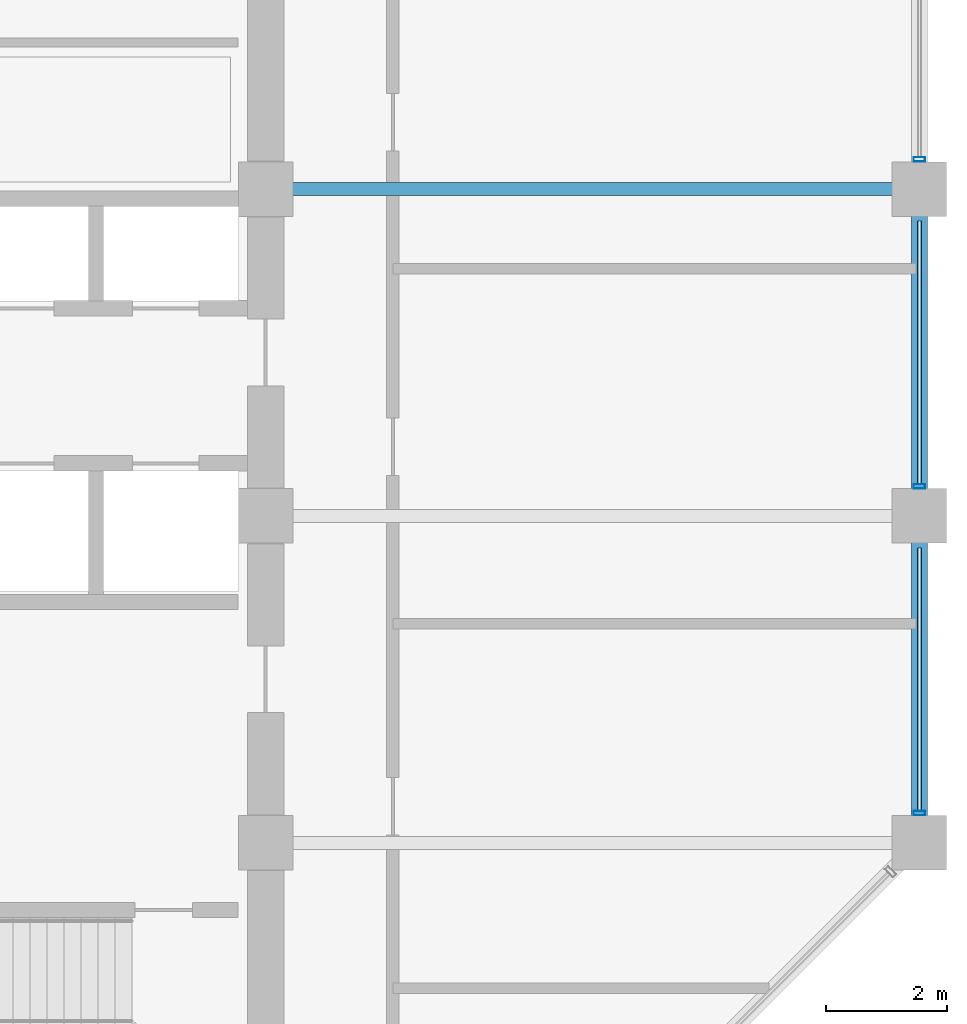
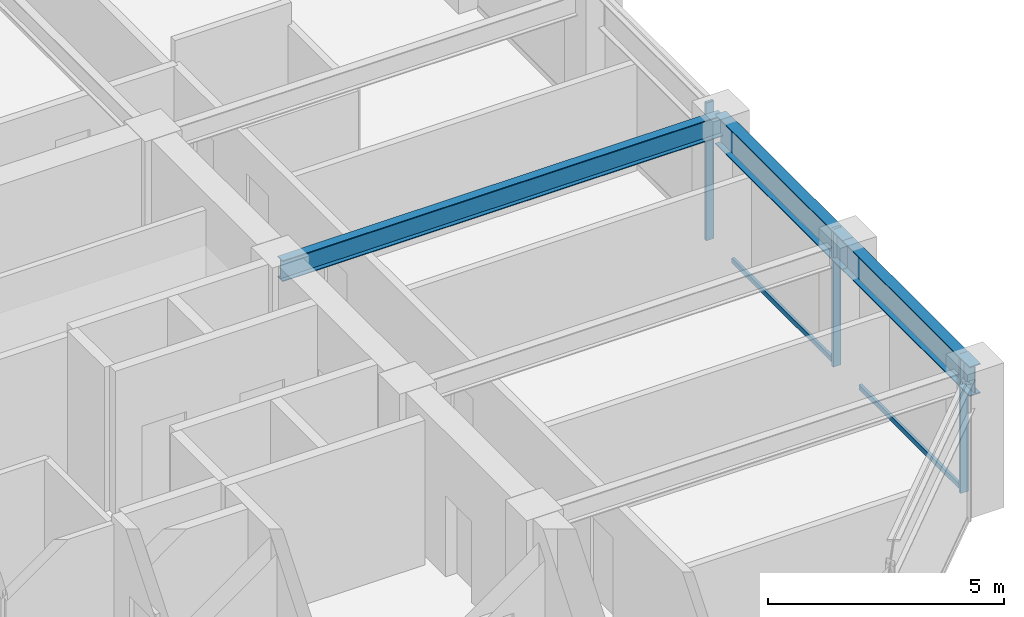
# One storey, part 14 of 32: 5 members, 3 beams, 1 element without a shape of its own.
"""IFC4 building model written with IfcOpenShell, lengths in metres."""

from ifc_helpers import new_model, si_unit, direction, frame, origin, origin_2d, place, context, subcontext, project, spatial, hollow_rectangle, i_section, extrude, material, layer, layer_set, material_profile, profile_set, type_object, element, aggregate, save


model = new_model("IFC4")

# Units and contexts
model_context = context("Model", 3, precision=1e-05, world=origin(), true_north=direction((0.0, 1.0)))
body_context = subcontext(model_context, "Body", "Model", "MODEL_VIEW")
ifc_project = project(units=[si_unit("LENGTHUNIT", "METRE"), si_unit("AREAUNIT", "SQUARE_METRE"), si_unit("VOLUMEUNIT", "CUBIC_METRE"), si_unit("PLANEANGLEUNIT", "RADIAN"), si_unit("MASSUNIT", "GRAM", prefix="KILO")], contexts=[model_context])

# Site, building, storey
site_placement = place(None, origin())
site = spatial("IfcSite", under=ifc_project, at=site_placement, CompositionType="ELEMENT")
building_placement = place(site_placement, origin())
building = spatial("IfcBuilding", under=site, at=building_placement, Name="Surkhivell Harbour Commons", CompositionType="ELEMENT")
storey_placement = place(building_placement, frame((0.0, 0.0, 197.25)))
storey = spatial("IfcBuildingStorey", under=building, at=storey_placement, Name="L51", CompositionType="ELEMENT", Elevation=197.25)

# Beams
ifc_material_1 = material(Name="Steel S355", Category="steel")
ifc_material_profile_1 = material_profile(ifc_material_1, i_section(OverallWidth=0.2119140625, OverallDepth=0.5439453125, WebThickness=0.0126953125, FlangeThickness=0.021240234375, at=origin_2d()), Name="UB533x210x122")
ifc_profile_set_1 = profile_set([ifc_material_profile_1], Name="Steel S355")
beam_type_1 = type_object("IfcBeamType", Name="BM-GRD-533A", PredefinedType="BEAM", material=ifc_profile_set_1)
beam_placement = place(storey_placement, frame((10.800048828125, 5.39990234375, 3.298095703125), z_axis=(1.0, 0.0, 0.0), x_axis=(0.0, 1.0, 0.0)))
element("IfcBeam", 1, at=beam_placement, inside=storey, type_object=beam_type_1, Name="L51 Floor Girder (10.8,5.4)", PredefinedType="BEAM", context=body_context, shape_type="SweptSolid", body=[
    extrude(i_section(OverallWidth=0.2119140625, OverallDepth=0.5439453125, WebThickness=0.0126953125, FlangeThickness=0.021240234375, at=origin_2d()), origin(), (0.0, 0.0, 1.0), 10.800048828125),
])
ifc_material_profile_2 = material_profile(ifc_material_1, i_section(OverallWidth=0.26806640625, OverallDepth=0.77001953125, WebThickness=0.015625, FlangeThickness=0.025390625, at=origin_2d()), Name="UB762x267x197")
ifc_profile_set_2 = profile_set([ifc_material_profile_2], Name="Steel S355")
beam_type_2 = type_object("IfcBeamType", Name="BM-SPN-762", PredefinedType="SPANDREL", material=ifc_profile_set_2)
for number, where, z_axis, x_axis, name in (
    (2, (21.60009765625, -5.39990234375, 3.18505859375), (0.0, 1.0, 0.0), (-1.0, 0.0, 0.0), "L51 Tube Spandrel (21.6,-5.4)"),
    (3, (21.60009765625, 0.0, 3.18505859375), (0.0, 1.0, 0.0), (-1.0, 0.0, 0.0), "L51 Tube Spandrel (21.6,0.0)"),
):
    element("IfcBeam", number, at=place(storey_placement, frame(where, z_axis=z_axis, x_axis=x_axis)), inside=storey, type_object=beam_type_2, Name=name, PredefinedType="SPANDREL", context=body_context, shape_type="SweptSolid", body=[
        extrude(i_section(OverallWidth=0.26806640625, OverallDepth=0.77001953125, WebThickness=0.015625, FlangeThickness=0.025390625, at=origin_2d()), origin(), (0.0, 0.0, 1.0), 5.39990234375),
    ])

# Curtain wall, members
ifc_material_2 = material(Name="Anodised pale-metal aluminium and insulated glazing", Category="aluminium")
ifc_layer = layer(ifc_material_2, 0.18994140625)
ifc_layer_set = layer_set([ifc_layer], Name="Anodised pale-metal aluminium and insulated glazing")
curtain_wall_type = type_object("IfcCurtainWallType", Name="CW-SYS-Z3", PredefinedType="NOTDEFINED", material=ifc_layer_set)
curtain_wall_placement = place(storey_placement, origin())
curtain_wall = element("IfcCurtainWall", 4, at=curtain_wall_placement, inside=storey, type_object=curtain_wall_type, Name="L51 Curtain Wall CW-L51-E02", PredefinedType="NOTDEFINED")
ifc_material_3 = material(Name="Anodised pale-metal aluminium alloy 6063-T6", Category="aluminium")
ifc_material_profile_3 = material_profile(ifc_material_3, hollow_rectangle(XDim=0.074951171875, YDim=0.18994140625, WallThickness=0.00390625, at=origin_2d()), Name="ALU-MULL-75x190")
ifc_profile_set_3 = profile_set([ifc_material_profile_3], Name="Anodised pale-metal aluminium alloy 6063-T6")
member_type_1 = type_object("IfcMemberType", Name="CWM-190", PredefinedType="MULLION", material=ifc_profile_set_3)
member_1_placement = place(storey_placement, frame((21.60009765625, -4.910400390625, 0.0), z_axis=(0.0, 0.0, 1.0), x_axis=(0.0, 1.0, 0.0)))
member_1 = element("IfcMember", 5, at=member_1_placement, type_object=member_type_1, Name="CW-Z3 mullion 1", PredefinedType="MULLION", context=body_context, shape_type="SweptSolid", body=[
    extrude(hollow_rectangle(XDim=0.074951171875, YDim=0.18994140625, WallThickness=0.00390625, at=origin_2d()), origin(), (0.0, 0.0, 1.0), 3.570068359375),
])
member_2_placement = place(storey_placement, frame((21.60009765625, 0.489501953125, 0.0), z_axis=(0.0, 0.0, 1.0), x_axis=(0.0, 1.0, 0.0)))
member_2 = element("IfcMember", 6, at=member_2_placement, type_object=member_type_1, Name="CW-Z3 mullion 2", PredefinedType="MULLION", context=body_context, shape_type="SweptSolid", body=[
    extrude(hollow_rectangle(XDim=0.074951171875, YDim=0.18994140625, WallThickness=0.00390625, at=origin_2d()), origin(), (0.0, 0.0, 1.0), 3.570068359375),
])
member_3_placement = place(storey_placement, frame((21.60009765625, 5.889404296875, 0.0), z_axis=(0.0, 0.0, 1.0), x_axis=(0.0, 1.0, 0.0)))
member_3 = element("IfcMember", 7, at=member_3_placement, type_object=member_type_1, Name="CW-Z3 mullion 3", PredefinedType="MULLION", context=body_context, shape_type="SweptSolid", body=[
    extrude(hollow_rectangle(XDim=0.074951171875, YDim=0.18994140625, WallThickness=0.00390625, at=origin_2d()), origin(), (0.0, 0.0, 1.0), 3.570068359375),
])
ifc_material_4 = material(Name="Champagne anodised aluminium alloy 6063-T6", Category="aluminium")
ifc_material_profile_4 = material_profile(ifc_material_4, hollow_rectangle(XDim=0.070068359375, YDim=0.1298828125, WallThickness=0.00341796875, at=origin_2d()), Name="ALU-TRAN-70x130")
ifc_profile_set_4 = profile_set([ifc_material_profile_4], Name="Champagne anodised aluminium alloy 6063-T6")
member_type_2 = type_object("IfcMemberType", Name="CWT-130", PredefinedType="USERDEFINED", material=ifc_profile_set_4)
member_4_placement = place(storey_placement, frame((21.60009765625, -4.873046875, 0.06494140625), z_axis=(0.0, 1.0, 0.0), x_axis=(-1.0, 0.0, 0.0)))
member_4 = element("IfcMember", 8, at=member_4_placement, type_object=member_type_2, Name="CW-Z3 transom 1.1", ObjectType="TRANSOM", PredefinedType="USERDEFINED", context=body_context, shape_type="SweptSolid", body=[
    extrude(hollow_rectangle(XDim=0.070068359375, YDim=0.1298828125, WallThickness=0.00341796875, at=origin_2d()), origin(), (0.0, 0.0, 1.0), 4.345947265625),
])
member_5_placement = place(storey_placement, frame((21.60009765625, 0.527099609375, 0.06494140625), z_axis=(0.0, 1.0, 0.0), x_axis=(-1.0, 0.0, 0.0)))
member_5 = element("IfcMember", 9, at=member_5_placement, type_object=member_type_2, Name="CW-Z3 transom 2.1", ObjectType="TRANSOM", PredefinedType="USERDEFINED", context=body_context, shape_type="SweptSolid", body=[
    extrude(hollow_rectangle(XDim=0.070068359375, YDim=0.1298828125, WallThickness=0.00341796875, at=origin_2d()), origin(), (0.0, 0.0, 1.0), 4.345947265625),
])
aggregate(curtain_wall, [member_1, member_4, member_2, member_5, member_3])

save(model, "model.ifc")
